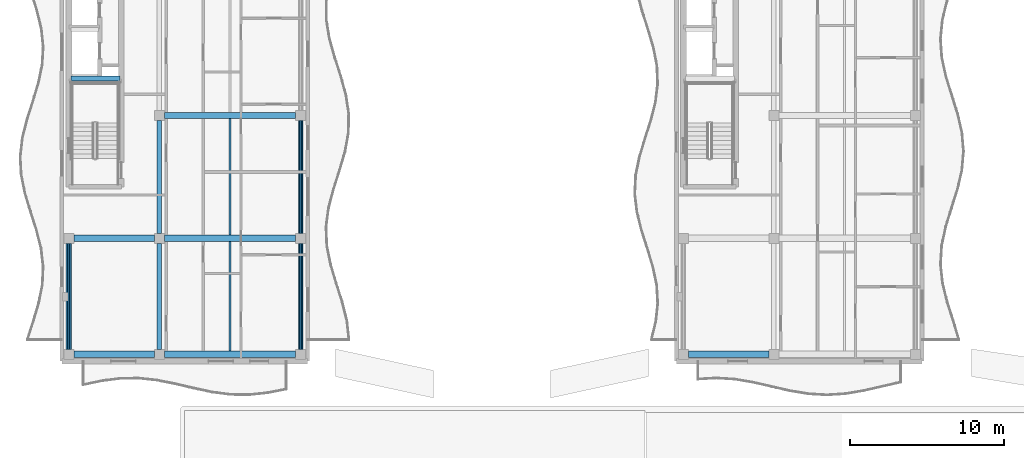
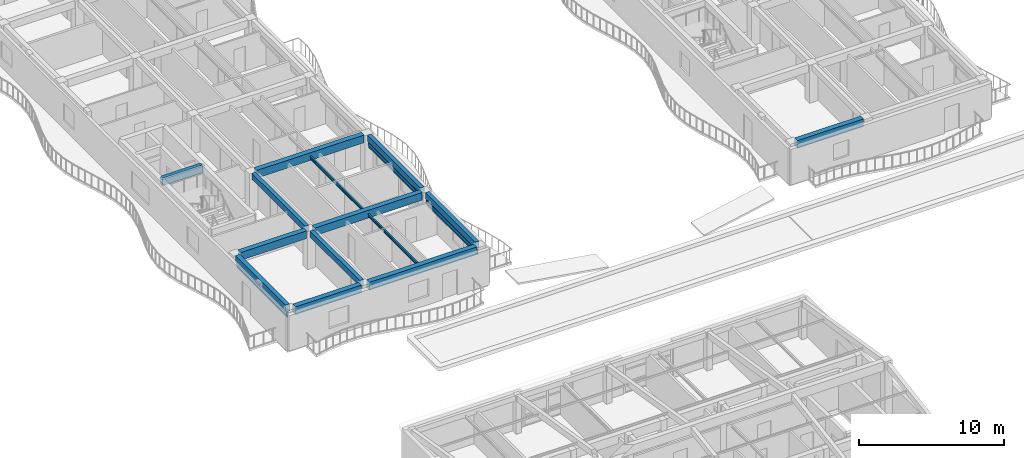
# One storey, part 20 of 128: 14 beams, 6 members.
"""IFC4 building model written with IfcOpenShell, lengths in metres."""

from ifc_helpers import new_model, si_unit, direction, frame, origin, origin_2d, place, context, subcontext, project, spatial, rectangle, hollow_rectangle, i_section, extrude, material, material_profile, profile_set, type_object, element, save


model = new_model("IFC4")

# Units and contexts
model_context = context("Model", 3, precision=1e-05, world=origin(), true_north=direction((0.0, 1.0)))
body_context = subcontext(model_context, "Body", "Model", "MODEL_VIEW")
ifc_project = project(units=[si_unit("LENGTHUNIT", "METRE"), si_unit("AREAUNIT", "SQUARE_METRE"), si_unit("VOLUMEUNIT", "CUBIC_METRE"), si_unit("PLANEANGLEUNIT", "RADIAN"), si_unit("MASSUNIT", "GRAM", prefix="KILO")], contexts=[model_context])

# Site, building, storey
site_placement = place(None, origin())
site = spatial("IfcSite", under=ifc_project, at=site_placement, CompositionType="ELEMENT")
building_placement = place(site_placement, origin())
building = spatial("IfcBuilding", under=site, at=building_placement, Name="Keldmere Railside Commons", CompositionType="ELEMENT")
storey_placement = place(building_placement, frame((0.0, 0.0, 4.159912109375)))
storey = spatial("IfcBuildingStorey", under=building, at=storey_placement, Name="L01", CompositionType="ELEMENT", Elevation=4.159912109375)

# Members
ifc_material_1 = material(Name="Steel F-36 (S355)", Category="steel")
ifc_material_profile_1 = material_profile(ifc_material_1, hollow_rectangle(XDim=0.14990234375, YDim=0.25, WallThickness=0.010009765625, at=origin_2d()), Name="RHS-250x150x10")
ifc_profile_set_1 = profile_set([ifc_material_profile_1], Name="Steel F-36 (S355)")
member_type_1 = type_object("IfcMemberType", Name="Balcony Continuous Planted Trough RHS250x150", PredefinedType="CHORD", material=ifc_profile_set_1)
for number, where, z_axis, x_axis, name in (
    (1, (8.449951171875, 56.77490234375, 2.4150390625), (0.0, 1.0, 0.0), (-1.0, 0.0, 0.0), "PLT-1 MEM-BPLT-0099"),
    (2, (23.550048828125, 56.77490234375, 2.4150390625), (0.0, 1.0, 0.0), (-1.0, 0.0, 0.0), "PLT-1 MEM-BPLT-0109"),
):
    element("IfcMember", number, at=place(storey_placement, frame(where, z_axis=z_axis, x_axis=x_axis)), inside=storey, type_object=member_type_1, Name=name, PredefinedType="CHORD", context=body_context, shape_type="SweptSolid", body=[
        extrude(hollow_rectangle(XDim=0.14990234375, YDim=0.25, WallThickness=0.010009765625, at=origin_2d()), origin(), (0.0, 0.0, 1.0), 6.900146484375),
    ])
member_1_placement = place(storey_placement, frame((23.550048828125, 64.324951171875, 2.4150390625), z_axis=(0.0, 1.0, 0.0), x_axis=(-1.0, 0.0, 0.0)))
element("IfcMember", 3, at=member_1_placement, inside=storey, type_object=member_type_1, Name="PLT-1 MEM-BPLT-0111", PredefinedType="CHORD", context=body_context, shape_type="SweptSolid", body=[
    extrude(hollow_rectangle(XDim=0.14990234375, YDim=0.25, WallThickness=0.010009765625, at=origin_2d()), origin(), (0.0, 0.0, 1.0), 7.35009765625),
])

# Beams
ifc_material_2 = material(Name="Concrete H-35 (C35/45)", Category="concrete")
ifc_material_profile_2 = material_profile(ifc_material_2, rectangle(XDim=0.300048828125, YDim=0.64990234375, at=origin_2d()), Name="RC-300x650")
ifc_profile_set_2 = profile_set([ifc_material_profile_2], Name="Concrete H-35 (C35/45)")
beam_type_1 = type_object("IfcBeamType", Name="Core Coupling RC Beam 300x650", PredefinedType="BEAM", material=ifc_profile_set_2)
beam_1_placement = place(storey_placement, frame((8.590087890625, 74.39990234375, 2.875), z_axis=(1.0, 0.0, 0.0), x_axis=(0.0, 1.0, 0.0)))
element("IfcBeam", 4, at=beam_1_placement, inside=storey, type_object=beam_type_1, Name="CB-1 BM-L01-2541", PredefinedType="BEAM", context=body_context, shape_type="SweptSolid", body=[
    extrude(rectangle(XDim=0.300048828125, YDim=0.64990234375, at=origin_2d()), origin(), (0.0, 0.0, 1.0), 3.18994140625),
])
ifc_material_profile_3 = material_profile(ifc_material_1, i_section(OverallWidth=0.1201171875, OverallDepth=0.239990234375, WebThickness=0.006103515625, FlangeThickness=0.009765625, at=origin_2d()), Name="IPE-240")
ifc_profile_set_3 = profile_set([ifc_material_profile_3], Name="Steel F-36 (S355)")
beam_type_2 = type_object("IfcBeamType", Name="Nursery & Mezzanine Steel Joist IPE240", PredefinedType="JOIST", material=ifc_profile_set_3)
beam_2_placement = place(storey_placement, frame((18.949951171875, 56.64990234375, 2.81005859375), z_axis=(0.0, 1.0, 0.0), x_axis=(-1.0, 0.0, 0.0)))
element("IfcBeam", 5, at=beam_2_placement, inside=storey, type_object=beam_type_2, Name="JST-2 BM-L01-1000", PredefinedType="JOIST", context=body_context, shape_type="SweptSolid", body=[
    extrude(i_section(OverallWidth=0.1201171875, OverallDepth=0.239990234375, WebThickness=0.006103515625, FlangeThickness=0.009765625, at=origin_2d()), origin(), (0.0, 0.0, 1.0), 7.150146484375),
])
beam_3_placement = place(storey_placement, frame((18.949951171875, 64.199951171875, 2.81005859375), z_axis=(0.0, 1.0, 0.0), x_axis=(-1.0, 0.0, 0.0)))
element("IfcBeam", 6, at=beam_3_placement, inside=storey, type_object=beam_type_2, Name="JST-2 BM-L01-1004", PredefinedType="JOIST", context=body_context, shape_type="SweptSolid", body=[
    extrude(i_section(OverallWidth=0.1201171875, OverallDepth=0.239990234375, WebThickness=0.006103515625, FlangeThickness=0.009765625, at=origin_2d()), origin(), (0.0, 0.0, 1.0), 7.60009765625),
])
ifc_material_3 = material(Name="Concrete H-30 (C30/37)", Category="concrete")
ifc_material_profile_4 = material_profile(ifc_material_3, rectangle(XDim=0.35009765625, YDim=0.60009765625, at=origin_2d()), Name="RC-350x600")
ifc_profile_set_4 = profile_set([ifc_material_profile_4], Name="Concrete H-30 (C30/37)")
beam_type_3 = type_object("IfcBeamType", Name="Residential Chord RC Beam 350x600", PredefinedType="BEAM", material=ifc_profile_set_4)
beam_4_placement = place(storey_placement, frame((8.449951171875, 56.77490234375, 2.900146484375), z_axis=(0.0, 1.0, 0.0), x_axis=(-1.0, 0.0, 0.0)))
element("IfcBeam", 7, at=beam_4_placement, inside=storey, type_object=beam_type_3, Name="BG-4 BM-L01-0868", PredefinedType="BEAM", context=body_context, shape_type="SweptSolid", body=[
    extrude(rectangle(XDim=0.35009765625, YDim=0.60009765625, at=origin_2d()), origin(), (0.0, 0.0, 1.0), 6.900146484375),
])
ifc_material_profile_5 = material_profile(ifc_material_3, rectangle(XDim=0.39990234375, YDim=0.64990234375, at=origin_2d()), Name="RC-400x650")
ifc_profile_set_5 = profile_set([ifc_material_profile_5], Name="Concrete H-30 (C30/37)")
beam_type_4 = type_object("IfcBeamType", Name="Residential Spine RC Girder 400x650", PredefinedType="BEAM", material=ifc_profile_set_5)
beam_5_placement = place(storey_placement, frame((8.77490234375, 56.449951171875, 2.875), z_axis=(1.0, 0.0, 0.0), x_axis=(0.0, 1.0, 0.0)))
element("IfcBeam", 8, at=beam_5_placement, inside=storey, type_object=beam_type_4, Name="BG-3 BM-L01-0779", PredefinedType="BEAM", context=body_context, shape_type="SweptSolid", body=[
    extrude(rectangle(XDim=0.39990234375, YDim=0.64990234375, at=origin_2d()), origin(), (0.0, 0.0, 1.0), 5.25),
])
beam_6_placement = place(storey_placement, frame((14.675048828125, 56.449951171875, 2.875), z_axis=(1.0, 0.0, 0.0), x_axis=(0.0, 1.0, 0.0)))
element("IfcBeam", 9, at=beam_6_placement, inside=storey, type_object=beam_type_4, Name="BG-3 BM-L01-0780", PredefinedType="BEAM", context=body_context, shape_type="SweptSolid", body=[
    extrude(rectangle(XDim=0.39990234375, YDim=0.64990234375, at=origin_2d()), origin(), (0.0, 0.0, 1.0), 8.550048828125),
])
for number, where, z_axis, x_axis, name in (
    (10, (48.77490234375, 56.449951171875, 2.875), (1.0, 0.0, 0.0), (0.0, 1.0, 0.0), "BG-3 BM-L01-0781"),
    (11, (8.77490234375, 64.0, 2.875), (1.0, 0.0, 0.0), (0.0, 1.0, 0.0), "BG-3 BM-L01-0787"),
):
    element("IfcBeam", number, at=place(storey_placement, frame(where, z_axis=z_axis, x_axis=x_axis)), inside=storey, type_object=beam_type_4, Name=name, PredefinedType="BEAM", context=body_context, shape_type="SweptSolid", body=[
        extrude(rectangle(XDim=0.39990234375, YDim=0.64990234375, at=origin_2d()), origin(), (0.0, 0.0, 1.0), 5.25),
    ])
for number, where, z_axis, x_axis, name in (
    (12, (14.675048828125, 64.0, 2.875), (1.0, 0.0, 0.0), (0.0, 1.0, 0.0), "BG-3 BM-L01-0788"),
    (13, (14.675048828125, 72.0, 2.875), (1.0, 0.0, 0.0), (0.0, 1.0, 0.0), "BG-3 BM-L01-0795"),
):
    element("IfcBeam", number, at=place(storey_placement, frame(where, z_axis=z_axis, x_axis=x_axis)), inside=storey, type_object=beam_type_4, Name=name, PredefinedType="BEAM", context=body_context, shape_type="SweptSolid", body=[
        extrude(rectangle(XDim=0.39990234375, YDim=0.64990234375, at=origin_2d()), origin(), (0.0, 0.0, 1.0), 8.550048828125),
    ])
ifc_material_profile_6 = material_profile(ifc_material_3, rectangle(XDim=0.300048828125, YDim=0.5, at=origin_2d()), Name="RC-300x500")
ifc_profile_set_6 = profile_set([ifc_material_profile_6], Name="Concrete H-30 (C30/37)")
beam_type_5 = type_object("IfcBeamType", Name="Secondary Frame RC Beam 300x500", PredefinedType="BEAM", material=ifc_profile_set_6)
beam_7_placement = place(storey_placement, frame((14.35009765625, 56.77490234375, 2.9501953125), z_axis=(0.0, 1.0, 0.0), x_axis=(-1.0, 0.0, 0.0)))
element("IfcBeam", 14, at=beam_7_placement, inside=storey, type_object=beam_type_5, Name="BG-5 BM-L01-0873", PredefinedType="BEAM", context=body_context, shape_type="SweptSolid", body=[
    extrude(rectangle(XDim=0.300048828125, YDim=0.5, at=origin_2d()), origin(), (0.0, 0.0, 1.0), 6.900146484375),
])
beam_8_placement = place(storey_placement, frame((14.35009765625, 64.324951171875, 2.9501953125), z_axis=(0.0, 1.0, 0.0), x_axis=(-1.0, 0.0, 0.0)))
element("IfcBeam", 15, at=beam_8_placement, inside=storey, type_object=beam_type_5, Name="BG-5 BM-L01-0874", PredefinedType="BEAM", context=body_context, shape_type="SweptSolid", body=[
    extrude(rectangle(XDim=0.300048828125, YDim=0.5, at=origin_2d()), origin(), (0.0, 0.0, 1.0), 7.35009765625),
])
beam_9_placement = place(storey_placement, frame((23.550048828125, 56.77490234375, 2.9501953125), z_axis=(0.0, 1.0, 0.0), x_axis=(-1.0, 0.0, 0.0)))
element("IfcBeam", 16, at=beam_9_placement, inside=storey, type_object=beam_type_5, Name="BG-5 BM-L01-0879", PredefinedType="BEAM", context=body_context, shape_type="SweptSolid", body=[
    extrude(rectangle(XDim=0.300048828125, YDim=0.5, at=origin_2d()), origin(), (0.0, 0.0, 1.0), 6.900146484375),
])
beam_10_placement = place(storey_placement, frame((23.550048828125, 64.324951171875, 2.9501953125), z_axis=(0.0, 1.0, 0.0), x_axis=(-1.0, 0.0, 0.0)))
element("IfcBeam", 17, at=beam_10_placement, inside=storey, type_object=beam_type_5, Name="BG-5 BM-L01-0880", PredefinedType="BEAM", context=body_context, shape_type="SweptSolid", body=[
    extrude(rectangle(XDim=0.300048828125, YDim=0.5, at=origin_2d()), origin(), (0.0, 0.0, 1.0), 7.35009765625),
])

# Members
ifc_material_profile_7 = material_profile(ifc_material_1, hollow_rectangle(XDim=0.10009765625, YDim=0.159912109375, WallThickness=0.008056640625, at=origin_2d()), Name="RHS-160x100x8")
ifc_profile_set_7 = profile_set([ifc_material_profile_7], Name="Steel F-36 (S355)")
member_type_2 = type_object("IfcMemberType", Name="Solar Brise-Soleil Louvre Fin RHS160x100", PredefinedType="STRUT", material=ifc_profile_set_7)
for number, where, z_axis, x_axis, name in (
    (18, (8.449951171875, 56.77490234375, 2.2001953125), (0.0, 1.0, 0.0), (-1.0, 0.0, 0.0), "BSF-1 MEM-BSF-0100"),
    (19, (23.550048828125, 56.77490234375, 2.2001953125), (0.0, 1.0, 0.0), (-1.0, 0.0, 0.0), "BSF-1 MEM-BSF-0110"),
):
    element("IfcMember", number, at=place(storey_placement, frame(where, z_axis=z_axis, x_axis=x_axis)), inside=storey, type_object=member_type_2, Name=name, PredefinedType="STRUT", context=body_context, shape_type="SweptSolid", body=[
        extrude(hollow_rectangle(XDim=0.10009765625, YDim=0.159912109375, WallThickness=0.008056640625, at=origin_2d()), origin(), (0.0, 0.0, 1.0), 6.900146484375),
    ])
member_2_placement = place(storey_placement, frame((23.550048828125, 64.324951171875, 2.2001953125), z_axis=(0.0, 1.0, 0.0), x_axis=(-1.0, 0.0, 0.0)))
element("IfcMember", 20, at=member_2_placement, inside=storey, type_object=member_type_2, Name="BSF-1 MEM-BSF-0112", PredefinedType="STRUT", context=body_context, shape_type="SweptSolid", body=[
    extrude(hollow_rectangle(XDim=0.10009765625, YDim=0.159912109375, WallThickness=0.008056640625, at=origin_2d()), origin(), (0.0, 0.0, 1.0), 7.35009765625),
])

save(model, "model.ifc")
